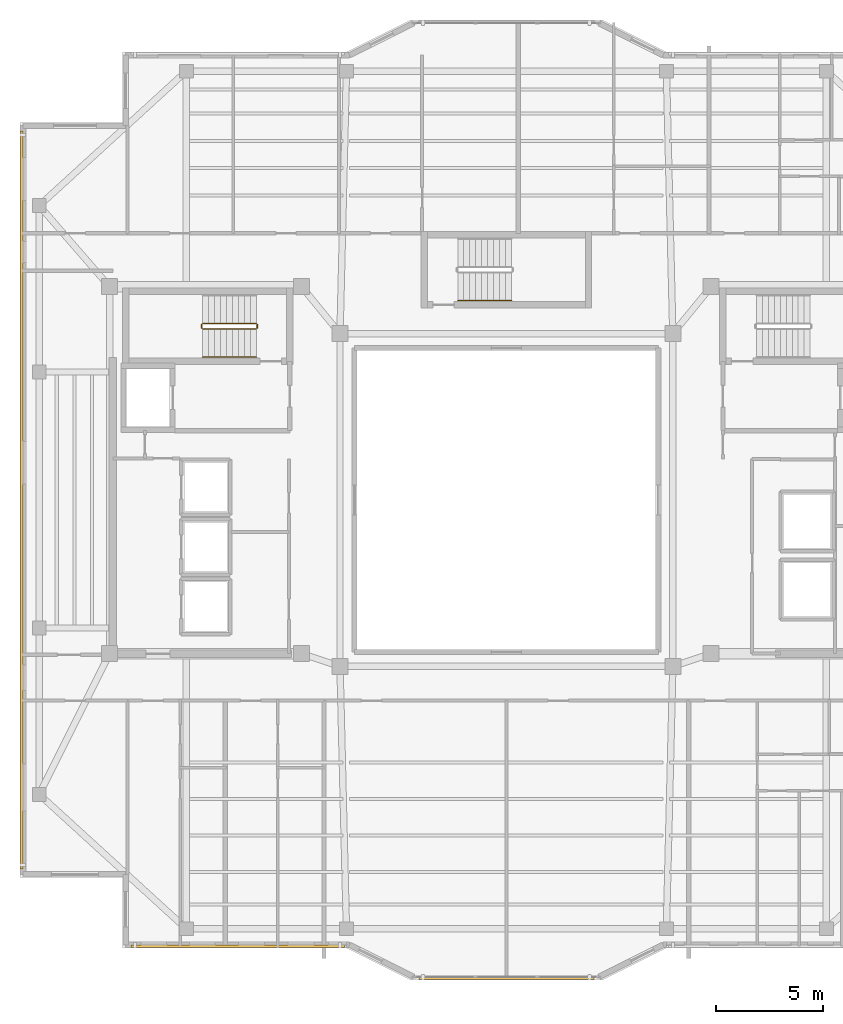
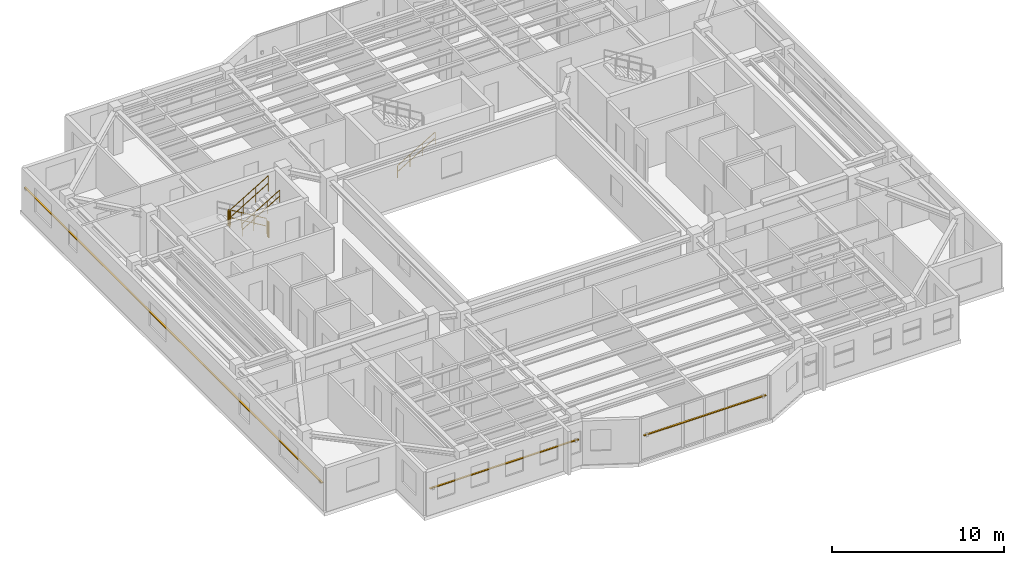
# One storey, part 12 of 14: 6 railings, 3 shading devices.
"""IFC4 building model written with IfcOpenShell, lengths in metres."""

from ifc_helpers import new_model, si_unit, direction, frame, origin, origin_2d, place, context, subcontext, project, spatial, rectangle, circle, extrude, material, material_profile, profile_set, type_object, element, save


model = new_model("IFC4")

# Units and contexts
model_context = context("Model", 3, precision=1e-05, world=origin(), true_north=direction((0.0, 1.0)))
body_context = subcontext(model_context, "Body", "Model", "MODEL_VIEW")
ifc_project = project(units=[si_unit("LENGTHUNIT", "METRE"), si_unit("AREAUNIT", "SQUARE_METRE"), si_unit("VOLUMEUNIT", "CUBIC_METRE"), si_unit("PLANEANGLEUNIT", "RADIAN"), si_unit("MASSUNIT", "GRAM", prefix="KILO")], contexts=[model_context])

# Site, building, storey
site_placement = place(None, origin())
site = spatial("IfcSite", under=ifc_project, at=site_placement, CompositionType="ELEMENT")
building_placement = place(site_placement, origin())
building = spatial("IfcBuilding", under=site, at=building_placement, Name="Tarnavaz Court Tower", CompositionType="ELEMENT")
storey_placement = place(building_placement, frame((0.0, 0.0, 254.89990234375)))
storey = spatial("IfcBuildingStorey", under=building, at=storey_placement, Name="L69", CompositionType="ELEMENT", Elevation=254.89990234375)

# Railings
ifc_material_1 = material(Name="Brushed Stainless Steel", Category="steel")
railing_type_1 = type_object("IfcRailingType", Name="RL-HANDRAIL-900", PredefinedType="HANDRAIL", material=ifc_material_1)
for number, where, name in (
    (1, (-14.239990234375, 6.699951171875, 1.842529296875), "L69 ST-W1 stair handrail 2"),
    (2, (-2.280029296875, 9.35009765625, 0.16748046875), "L69 ST-N1 stair handrail 1"),
):
    element("IfcRailing", number, at=place(storey_placement, frame(where)), inside=storey, type_object=railing_type_1, Name=name, PredefinedType="HANDRAIL", context=body_context, shape_type="SweptSolid", body=[
        extrude(circle(Radius=0.02392578125, at=origin_2d()), frame((0.0, 0.0, 0.8759765625), z_axis=(0.858159760407, 0.0, 0.513382728203), x_axis=(0.0, 1.0, 0.0)), (0.0, 0.0, 1.0), 2.9365234375),
        extrude(circle(Radius=0.02392578125, at=origin_2d()), frame((0.0, 0.0, 0.449951171875), z_axis=(0.858159760407, 0.0, 0.513382728203), x_axis=(0.0, 1.0, 0.0)), (0.0, 0.0, 1.0), 2.9365234375),
        extrude(circle(Radius=0.02099609375, at=origin_2d()), origin(), (0.0, 0.0, 1.0), 0.851806640625),
        extrude(circle(Radius=0.02099609375, at=origin_2d()), frame((0.840087890625, 0.0, 0.50244140625)), (0.0, 0.0, 1.0), 0.851806640625),
        extrude(circle(Radius=0.02099609375, at=origin_2d()), frame((1.679931640625, 0.0, 1.005126953125)), (0.0, 0.0, 1.0), 0.851806640625),
        extrude(circle(Radius=0.02099609375, at=origin_2d()), frame((2.52001953125, 0.0, 1.507568359375)), (0.0, 0.0, 1.0), 0.851806640625),
    ])
ifc_material_2 = material(Name="Galvanized Painted Tubular Steel", Category="steel")
railing_type_2 = type_object("IfcRailingType", Name="RL-STGUARD-1120", PredefinedType="GUARDRAIL", material=ifc_material_2)
railing_1_placement = place(storey_placement, frame((-11.719970703125, 8.27001953125, 0.16748046875)))
element("IfcRailing", 3, at=railing_1_placement, inside=storey, type_object=railing_type_2, Name="L69 ST-W1 stair guard 1", PredefinedType="GUARDRAIL", context=body_context, shape_type="SweptSolid", body=[
    extrude(circle(Radius=0.02392578125, at=origin_2d()), frame((0.0, 0.0, 1.09619140625), z_axis=(-0.858159760407, 0.0, 0.513382728203), x_axis=(0.0, -1.0, 0.0)), (0.0, 0.0, 1.0), 2.9365234375),
    extrude(circle(Radius=0.02392578125, at=origin_2d()), frame((0.0, 0.0, 0.56005859375), z_axis=(-0.858159760407, 0.0, 0.513382728203), x_axis=(0.0, -1.0, 0.0)), (0.0, 0.0, 1.0), 2.9365234375),
    extrude(circle(Radius=0.02099609375, at=origin_2d()), origin(), (0.0, 0.0, 1.0), 1.072021484375),
    extrude(circle(Radius=0.02099609375, at=origin_2d()), frame((-0.840087890625, 0.0, 0.50244140625)), (0.0, 0.0, 1.0), 1.072021484375),
    extrude(circle(Radius=0.02099609375, at=origin_2d()), frame((-1.679931640625, 0.0, 1.005126953125)), (0.0, 0.0, 1.0), 1.072021484375),
    extrude(circle(Radius=0.02099609375, at=origin_2d()), frame((-2.52001953125, 0.0, 1.507568359375)), (0.0, 0.0, 1.0), 1.072021484375),
])
railing_2_placement = place(storey_placement, frame((-14.2900390625, 8.219970703125, 1.675048828125)))
element("IfcRailing", 4, at=railing_2_placement, inside=storey, type_object=railing_type_2, Name="L69 ST-W1 stair guard 2", PredefinedType="GUARDRAIL", context=body_context, shape_type="SweptSolid", body=[
    extrude(circle(Radius=0.02392578125, at=origin_2d()), frame((0.0, 0.0, 1.09619140625), z_axis=(0.0, -1.0, 0.0), x_axis=(1.0, 0.0, 0.0)), (0.0, 0.0, 1.0), 0.14990234375),
    extrude(circle(Radius=0.02392578125, at=origin_2d()), frame((0.0, 0.0, 0.56005859375), z_axis=(0.0, -1.0, 0.0), x_axis=(1.0, 0.0, 0.0)), (0.0, 0.0, 1.0), 0.14990234375),
    extrude(circle(Radius=0.02099609375, at=origin_2d()), origin(), (0.0, 0.0, 1.0), 1.072021484375),
    extrude(circle(Radius=0.02099609375, at=origin_2d()), frame((0.0, -0.14990234375, 0.0)), (0.0, 0.0, 1.0), 1.072021484375),
])
railing_3_placement = place(storey_placement, frame((-14.239990234375, 8.02001953125, 1.842529296875)))
element("IfcRailing", 5, at=railing_3_placement, inside=storey, type_object=railing_type_2, Name="L69 ST-W1 stair guard 3", PredefinedType="GUARDRAIL", context=body_context, shape_type="SweptSolid", body=[
    extrude(circle(Radius=0.02392578125, at=origin_2d()), frame((0.0, 0.0, 1.09619140625), z_axis=(0.858159760407, 0.0, 0.513382728203), x_axis=(0.0, 1.0, 0.0)), (0.0, 0.0, 1.0), 2.9365234375),
    extrude(circle(Radius=0.02392578125, at=origin_2d()), frame((0.0, 0.0, 0.56005859375), z_axis=(0.858159760407, 0.0, 0.513382728203), x_axis=(0.0, 1.0, 0.0)), (0.0, 0.0, 1.0), 2.9365234375),
    extrude(circle(Radius=0.02099609375, at=origin_2d()), origin(), (0.0, 0.0, 1.0), 1.072021484375),
    extrude(circle(Radius=0.02099609375, at=origin_2d()), frame((0.840087890625, 0.0, 0.50244140625)), (0.0, 0.0, 1.0), 1.072021484375),
    extrude(circle(Radius=0.02099609375, at=origin_2d()), frame((1.679931640625, 0.0, 1.005126953125)), (0.0, 0.0, 1.0), 1.072021484375),
    extrude(circle(Radius=0.02099609375, at=origin_2d()), frame((2.52001953125, 0.0, 1.507568359375)), (0.0, 0.0, 1.0), 1.072021484375),
])
railing_4_placement = place(storey_placement, frame((-11.669921875, 8.219970703125, 0.0)))
element("IfcRailing", 6, at=railing_4_placement, inside=storey, type_object=railing_type_2, Name="L69 ST-W1 stair guard 4", PredefinedType="GUARDRAIL", context=body_context, shape_type="SweptSolid", body=[
    extrude(circle(Radius=0.02392578125, at=origin_2d()), frame((0.0, 0.0, 1.09619140625), z_axis=(0.0, -1.0, 0.0), x_axis=(1.0, 0.0, 0.0)), (0.0, 0.0, 1.0), 0.14990234375),
    extrude(circle(Radius=0.02392578125, at=origin_2d()), frame((0.0, 0.0, 0.56005859375), z_axis=(0.0, -1.0, 0.0), x_axis=(1.0, 0.0, 0.0)), (0.0, 0.0, 1.0), 0.14990234375),
    extrude(circle(Radius=0.02099609375, at=origin_2d()), origin(), (0.0, 0.0, 1.0), 1.072021484375),
    extrude(circle(Radius=0.02099609375, at=origin_2d()), frame((0.0, -0.14990234375, 0.0)), (0.0, 0.0, 1.0), 1.072021484375),
])

# Shading devices
ifc_material_3 = material(Name="Kiln-Fired Khorasan Terracotta Ceramic", Category="masonry")
ifc_material_profile = material_profile(ifc_material_3, rectangle(XDim=0.1201171875, YDim=0.06005859375, at=origin_2d()), Name="TC BAGUETTE 120X60")
ifc_profile_set = profile_set([ifc_material_profile], Name="Kiln-Fired Khorasan Terracotta Ceramic")
shading_device_type = type_object("IfcShadingDeviceType", Name="SD-BAG-120", PredefinedType="USERDEFINED", material=ifc_profile_set)
shading_device_1_placement = place(storey_placement, frame((-22.7099609375, -17.300048828125, 1.85009765625), z_axis=(0.0, 1.0, 0.0), x_axis=(-1.0, 0.0, 0.0)))
element("IfcShadingDevice", 7, at=shading_device_1_placement, inside=storey, type_object=shading_device_type, Name="L69 Terracotta Baguette Screen FBG02", ObjectType="BAGUETTE", PredefinedType="USERDEFINED", context=body_context, shape_type="SweptSolid", body=[
    extrude(rectangle(XDim=0.1201171875, YDim=0.06005859375, at=origin_2d()), origin(), (0.0, 0.0, 1.0), 34.60009765625),
])
shading_device_2_placement = place(storey_placement, frame((4.10009765625, -22.409912109375, 1.800048828125), z_axis=(-1.0, 0.0, 0.0), x_axis=(0.0, -1.0, 0.0)))
element("IfcShadingDevice", 8, at=shading_device_2_placement, inside=storey, type_object=shading_device_type, Name="L69 Terracotta Baguette Screen PBG17", ObjectType="BAGUETTE", PredefinedType="USERDEFINED", context=body_context, shape_type="SweptSolid", body=[
    extrude(rectangle(XDim=0.1201171875, YDim=0.06005859375, at=origin_2d()), origin(), (0.0, 0.0, 1.0), 8.2001953125),
])
shading_device_3_placement = place(storey_placement, frame((-7.60009765625, -20.909912109375, 1.85009765625), z_axis=(-1.0, 0.0, 0.0), x_axis=(0.0, -1.0, 0.0)))
element("IfcShadingDevice", 9, at=shading_device_3_placement, inside=storey, type_object=shading_device_type, Name="L69 Terracotta Baguette Screen FBG19", ObjectType="BAGUETTE", PredefinedType="USERDEFINED", context=body_context, shape_type="SweptSolid", body=[
    extrude(rectangle(XDim=0.1201171875, YDim=0.06005859375, at=origin_2d()), origin(), (0.0, 0.0, 1.0), 10.0),
])

save(model, "model.ifc")
